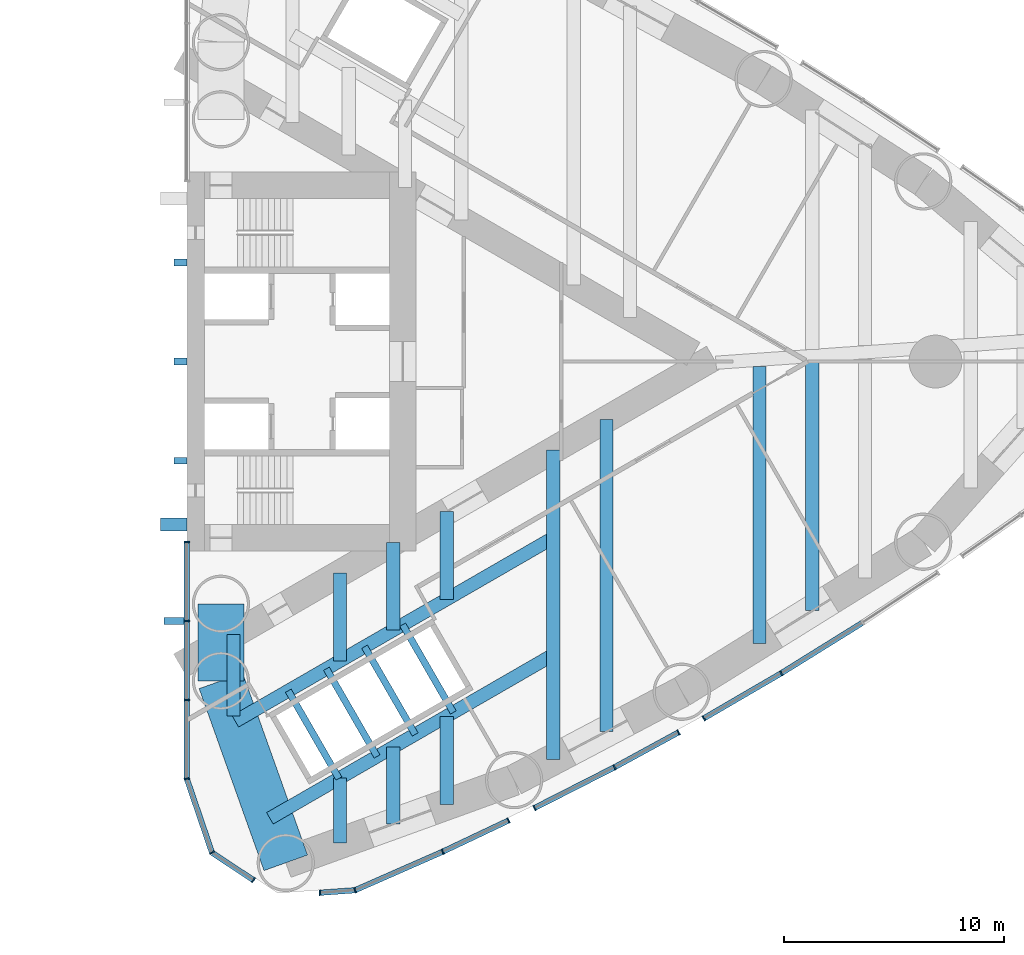
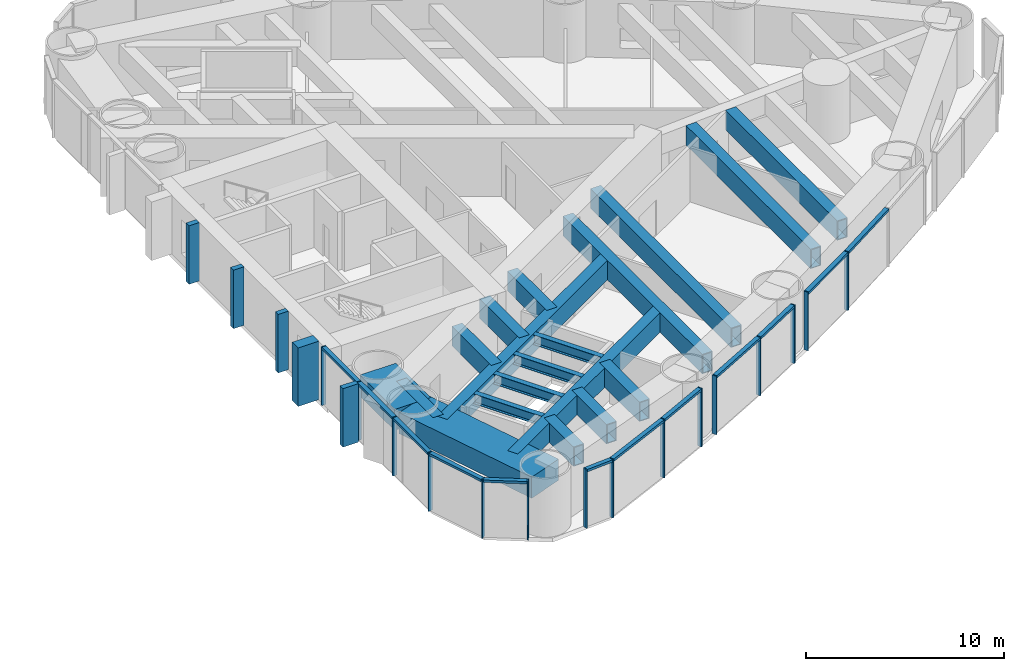
# One storey, part 6 of 16: 32 members, 19 beams, 4 elements without a shape of their own.
"""IFC4 building model written with IfcOpenShell, lengths in metres."""

from ifc_helpers import new_model, si_unit, direction, frame, origin, origin_2d, place, context, subcontext, project, spatial, rectangle, hollow_rectangle, i_section, extrude, material, material_profile, profile_set, type_object, element, aggregate, save


model = new_model("IFC4")

# Units and contexts
model_context = context("Model", 3, precision=1e-05, world=origin(), true_north=direction((0.0, 1.0)))
body_context = subcontext(model_context, "Body", "Model", "MODEL_VIEW")
ifc_project = project(units=[si_unit("LENGTHUNIT", "METRE"), si_unit("AREAUNIT", "SQUARE_METRE"), si_unit("VOLUMEUNIT", "CUBIC_METRE"), si_unit("PLANEANGLEUNIT", "RADIAN"), si_unit("MASSUNIT", "GRAM", prefix="KILO")], contexts=[model_context])

# Site, building, storey
site_placement = place(None, origin())
site = spatial("IfcSite", under=ifc_project, at=site_placement, CompositionType="ELEMENT")
building_placement = place(site_placement, origin())
building = spatial("IfcBuilding", under=site, at=building_placement, Name="Lancet Gate Hotel", CompositionType="ELEMENT")
storey_placement = place(building_placement, frame((0.0, 0.0, 143.10009765625)))
storey = spatial("IfcBuildingStorey", under=building, at=storey_placement, Name="L38", CompositionType="ELEMENT", Elevation=143.10009765625)

# Curtain wall, members
ifc_material_1 = material(Name="Aluminium curtain wall", Category="aluminium")
curtain_wall_type = type_object("IfcCurtainWallType", Name="Tower unitised curtain wall", PredefinedType="USERDEFINED", material=ifc_material_1)
curtain_wall_1_placement = place(storey_placement, origin())
curtain_wall_1 = element("IfcCurtainWall", 1, at=curtain_wall_1_placement, inside=storey, type_object=curtain_wall_type, Name="T2 L38 curtain wall 1", ObjectType="UNITISED CURTAIN WALL", PredefinedType="USERDEFINED")
ifc_material_2 = material(Name="Aluminium mullion", Category="aluminium")
ifc_material_profile_1 = material_profile(ifc_material_2, rectangle(XDim=0.06494140625, YDim=0.25, at=origin_2d()), Name="MULLION 65x250")
ifc_profile_set_1 = profile_set([ifc_material_profile_1], Name="Aluminium mullion")
member_type_1 = type_object("IfcMemberType", Name="Aluminium mullion 65x250", PredefinedType="MULLION", material=ifc_profile_set_1)
member_1_placement = place(storey_placement, frame((27.5, -8.199951171875, 0.0), z_axis=(0.0, 0.0, 1.0), x_axis=(0.0, -1.0, 0.0)))
member_1 = element("IfcMember", 2, at=member_1_placement, type_object=member_type_1, Name="T2 L38 curtain wall 1 mullion 1", PredefinedType="MULLION", context=body_context, shape_type="SweptSolid", body=[
    extrude(rectangle(XDim=0.06494140625, YDim=0.25, at=origin_2d()), origin(), (0.0, 0.0, 1.0), 3.599853515625),
])
member_2_placement = place(storey_placement, frame((27.5, -11.781005859375, 0.0), z_axis=(0.0, 0.0, 1.0), x_axis=(0.0, -1.0, 0.0)))
member_2 = element("IfcMember", 3, at=member_2_placement, type_object=member_type_1, Name="T2 L38 curtain wall 1 mullion 2", PredefinedType="MULLION", context=body_context, shape_type="SweptSolid", body=[
    extrude(rectangle(XDim=0.06494140625, YDim=0.25, at=origin_2d()), origin(), (0.0, 0.0, 1.0), 3.599853515625),
])
member_3_placement = place(storey_placement, frame((27.5, -15.362060546875, 0.0), z_axis=(0.0, 0.0, 1.0), x_axis=(0.0, -1.0, 0.0)))
member_3 = element("IfcMember", 4, at=member_3_placement, type_object=member_type_1, Name="T2 L38 curtain wall 1 mullion 3", PredefinedType="MULLION", context=body_context, shape_type="SweptSolid", body=[
    extrude(rectangle(XDim=0.06494140625, YDim=0.25, at=origin_2d()), origin(), (0.0, 0.0, 1.0), 3.599853515625),
])
member_4_placement = place(storey_placement, frame((27.5, -18.94287109375, 0.0), z_axis=(0.0, 0.0, 1.0), x_axis=(0.162738742557, -0.986669195663, 0.0)))
member_4 = element("IfcMember", 5, at=member_4_placement, type_object=member_type_1, Name="T2 L38 curtain wall 1 mullion 4", PredefinedType="MULLION", context=body_context, shape_type="SweptSolid", body=[
    extrude(rectangle(XDim=0.06494140625, YDim=0.25, at=origin_2d()), origin(), (0.0, 0.0, 1.0), 3.599853515625),
])
member_5_placement = place(storey_placement, frame((28.64453125, -22.301513671875, 0.0), z_axis=(0.0, 0.0, 1.0), x_axis=(0.54909228457, -0.835761726227, 0.0)))
member_5 = element("IfcMember", 6, at=member_5_placement, type_object=member_type_1, Name="T2 L38 curtain wall 1 mullion 5", PredefinedType="MULLION", context=body_context, shape_type="SweptSolid", body=[
    extrude(rectangle(XDim=0.06494140625, YDim=0.25, at=origin_2d()), origin(), (0.0, 0.0, 1.0), 3.599853515625),
])
member_6_placement = place(storey_placement, frame((30.526123046875, -23.549072265625, 0.0), z_axis=(0.0, 0.0, 1.0), x_axis=(0.833464516611, -0.552572981198, 0.0)))
member_6 = element("IfcMember", 7, at=member_6_placement, type_object=member_type_1, Name="T2 L38 curtain wall 1 mullion 6", PredefinedType="MULLION", context=body_context, shape_type="SweptSolid", body=[
    extrude(rectangle(XDim=0.06494140625, YDim=0.25, at=origin_2d()), origin(), (0.0, 0.0, 1.0), 3.599853515625),
])

curtain_wall_2_placement = place(storey_placement, origin())
curtain_wall_2 = element("IfcCurtainWall", 8, at=curtain_wall_2_placement, inside=storey, type_object=curtain_wall_type, Name="T2 L38 curtain wall 2", ObjectType="UNITISED CURTAIN WALL", PredefinedType="USERDEFINED")
member_7_placement = place(storey_placement, frame((33.54931640625, -24.123046875, 0.0), z_axis=(0.0, 0.0, 1.0), x_axis=(0.997448492935, 0.07138980278, 0.0)))
member_7 = element("IfcMember", 9, at=member_7_placement, type_object=member_type_1, Name="T2 L38 curtain wall 2 mullion 1", PredefinedType="MULLION", context=body_context, shape_type="SweptSolid", body=[
    extrude(rectangle(XDim=0.06494140625, YDim=0.25, at=origin_2d()), origin(), (0.0, 0.0, 1.0), 3.599853515625),
])
member_8_placement = place(storey_placement, frame((35.141357421875, -24.009033203125, 0.0), z_axis=(0.0, 0.0, 1.0), x_axis=(0.948382370841, 0.317129119883, 0.0)))
member_8 = element("IfcMember", 10, at=member_8_placement, type_object=member_type_1, Name="T2 L38 curtain wall 2 mullion 2", PredefinedType="MULLION", context=body_context, shape_type="SweptSolid", body=[
    extrude(rectangle(XDim=0.06494140625, YDim=0.25, at=origin_2d()), origin(), (0.0, 0.0, 1.0), 3.599853515625),
])
member_9_placement = place(storey_placement, frame((39.12109375, -22.259765625, 0.0), z_axis=(0.0, 0.0, 1.0), x_axis=(0.91047251067, 0.413569591864, 0.0)))
member_9 = element("IfcMember", 11, at=member_9_placement, type_object=member_type_1, Name="T2 L38 curtain wall 2 mullion 3", PredefinedType="MULLION", context=body_context, shape_type="SweptSolid", body=[
    extrude(rectangle(XDim=0.06494140625, YDim=0.25, at=origin_2d()), origin(), (0.0, 0.0, 1.0), 3.599853515625),
])
member_10_placement = place(storey_placement, frame((42.10986328125, -20.843505859375, 0.0), z_axis=(0.0, 0.0, 1.0), x_axis=(0.903683440096, 0.428201167789, 0.0)))
member_10 = element("IfcMember", 12, at=member_10_placement, type_object=member_type_1, Name="T2 L38 curtain wall 2 mullion 4", PredefinedType="MULLION", context=body_context, shape_type="SweptSolid", body=[
    extrude(rectangle(XDim=0.06494140625, YDim=0.25, at=origin_2d()), origin(), (0.0, 0.0, 1.0), 3.599853515625),
])

curtain_wall_3_placement = place(storey_placement, origin())
curtain_wall_3 = element("IfcCurtainWall", 13, at=curtain_wall_3_placement, inside=storey, type_object=curtain_wall_type, Name="T2 L38 curtain wall 3", ObjectType="UNITISED CURTAIN WALL", PredefinedType="USERDEFINED")
member_11_placement = place(storey_placement, frame((43.29443359375, -20.273681640625, 0.0), z_axis=(0.0, 0.0, 1.0), x_axis=(0.891159350462, 0.453690436403, 0.0)))
member_11 = element("IfcMember", 14, at=member_11_placement, type_object=member_type_1, Name="T2 L38 curtain wall 3 mullion 1", PredefinedType="MULLION", context=body_context, shape_type="SweptSolid", body=[
    extrude(rectangle(XDim=0.06494140625, YDim=0.25, at=origin_2d()), origin(), (0.0, 0.0, 1.0), 3.599853515625),
])
member_12_placement = place(storey_placement, frame((46.923828125, -18.426025390625, 0.0), z_axis=(0.0, 0.0, 1.0), x_axis=(0.8853073813, 0.465006280189, 0.0)))
member_12 = element("IfcMember", 15, at=member_12_placement, type_object=member_type_1, Name="T2 L38 curtain wall 3 mullion 2", PredefinedType="MULLION", context=body_context, shape_type="SweptSolid", body=[
    extrude(rectangle(XDim=0.06494140625, YDim=0.25, at=origin_2d()), origin(), (0.0, 0.0, 1.0), 3.599853515625),
])
member_13_placement = place(storey_placement, frame((49.832275390625, -16.839599609375, 0.0), z_axis=(0.0, 0.0, 1.0), x_axis=(0.877916491224, 0.478813778454, 0.0)))
member_13 = element("IfcMember", 16, at=member_13_placement, type_object=member_type_1, Name="T2 L38 curtain wall 3 mullion 3", PredefinedType="MULLION", context=body_context, shape_type="SweptSolid", body=[
    extrude(rectangle(XDim=0.06494140625, YDim=0.25, at=origin_2d()), origin(), (0.0, 0.0, 1.0), 3.599853515625),
])

curtain_wall_4_placement = place(storey_placement, origin())
curtain_wall_4 = element("IfcCurtainWall", 17, at=curtain_wall_4_placement, inside=storey, type_object=curtain_wall_type, Name="T2 L38 curtain wall 4", ObjectType="UNITISED CURTAIN WALL", PredefinedType="USERDEFINED")
member_14_placement = place(storey_placement, frame((50.9814453125, -16.203857421875, 0.0), z_axis=(0.0, 0.0, 1.0), x_axis=(0.863965543499, 0.503550930538, 0.0)))
member_14 = element("IfcMember", 18, at=member_14_placement, type_object=member_type_1, Name="T2 L38 curtain wall 4 mullion 1", PredefinedType="MULLION", context=body_context, shape_type="SweptSolid", body=[
    extrude(rectangle(XDim=0.06494140625, YDim=0.25, at=origin_2d()), origin(), (0.0, 0.0, 1.0), 3.599853515625),
])
member_15_placement = place(storey_placement, frame((54.496337890625, -14.1552734375, 0.0), z_axis=(0.0, 0.0, 1.0), x_axis=(0.856485260628, 0.516171481513, 0.0)))
member_15 = element("IfcMember", 19, at=member_15_placement, type_object=member_type_1, Name="T2 L38 curtain wall 4 mullion 2", PredefinedType="MULLION", context=body_context, shape_type="SweptSolid", body=[
    extrude(rectangle(XDim=0.06494140625, YDim=0.25, at=origin_2d()), origin(), (0.0, 0.0, 1.0), 3.599853515625),
])

# Member
ifc_material_3 = material(Name="Aluminium transom", Category="aluminium")
ifc_material_profile_2 = material_profile(ifc_material_3, rectangle(XDim=0.25, YDim=0.14990234375, at=origin_2d()), Name="TRANSOM 250x150")
ifc_profile_set_2 = profile_set([ifc_material_profile_2], Name="Aluminium transom")
member_type_2 = type_object("IfcMemberType", Name="Aluminium transom 250x150", PredefinedType="USERDEFINED", material=ifc_profile_set_2)
member_16_placement = place(storey_placement, frame((27.5, -8.232421875, 3.52490234375), z_axis=(0.0, -1.0, 0.0), x_axis=(1.0, 0.0, 0.0)))
member_16 = element("IfcMember", 20, at=member_16_placement, type_object=member_type_2, Name="T2 L38 curtain wall 1 transom 1", ObjectType="TRANSOM", PredefinedType="USERDEFINED", context=body_context, shape_type="SweptSolid", body=[
    extrude(rectangle(XDim=0.25, YDim=0.14990234375, at=origin_2d()), origin(), (0.0, 0.0, 1.0), 3.51611328125),
])

member_17_placement = place(storey_placement, frame((27.5, -11.8134765625, 3.52490234375), z_axis=(0.0, -1.0, 0.0), x_axis=(1.0, 0.0, 0.0)))
member_17 = element("IfcMember", 21, at=member_17_placement, type_object=member_type_2, Name="T2 L38 curtain wall 1 transom 2", ObjectType="TRANSOM", PredefinedType="USERDEFINED", context=body_context, shape_type="SweptSolid", body=[
    extrude(rectangle(XDim=0.25, YDim=0.14990234375, at=origin_2d()), origin(), (0.0, 0.0, 1.0), 3.515869140625),
])

member_18_placement = place(storey_placement, frame((27.5, -15.39453125, 3.52490234375), z_axis=(0.0, -1.0, 0.0), x_axis=(1.0, 0.0, 0.0)))
member_18 = element("IfcMember", 22, at=member_18_placement, type_object=member_type_2, Name="T2 L38 curtain wall 1 transom 3", ObjectType="TRANSOM", PredefinedType="USERDEFINED", context=body_context, shape_type="SweptSolid", body=[
    extrude(rectangle(XDim=0.25, YDim=0.14990234375, at=origin_2d()), origin(), (0.0, 0.0, 1.0), 3.515869140625),
])

member_19_placement = place(storey_placement, frame((27.510498046875, -18.9736328125, 3.52490234375), z_axis=(0.322549769135, -0.946552505903, 0.0), x_axis=(0.946552505903, 0.322549769135, 0.0)))
member_19 = element("IfcMember", 23, at=member_19_placement, type_object=member_type_2, Name="T2 L38 curtain wall 1 transom 4", ObjectType="TRANSOM", PredefinedType="USERDEFINED", context=body_context, shape_type="SweptSolid", body=[
    extrude(rectangle(XDim=0.25, YDim=0.14990234375, at=origin_2d()), origin(), (0.0, 0.0, 1.0), 3.4833984375),
])

member_20_placement = place(storey_placement, frame((28.671630859375, -22.319580078125, 3.52490234375), z_axis=(0.833486533887, -0.55253977036, 0.0), x_axis=(0.55253977036, 0.833486533887, 0.0)))
member_20 = element("IfcMember", 24, at=member_20_placement, type_object=member_type_2, Name="T2 L38 curtain wall 1 transom 5", ObjectType="TRANSOM", PredefinedType="USERDEFINED", context=body_context, shape_type="SweptSolid", body=[
    extrude(rectangle(XDim=0.25, YDim=0.14990234375, at=origin_2d()), origin(), (0.0, 0.0, 1.0), 2.1923828125),
])

member_21_placement = place(storey_placement, frame((33.581787109375, -24.12060546875, 3.52490234375), z_axis=(0.997444920406, 0.071439700135, 0.0), x_axis=(-0.071439700135, 0.997444920406, 0.0)))
member_21 = element("IfcMember", 25, at=member_21_placement, type_object=member_type_2, Name="T2 L38 curtain wall 2 transom 1", ObjectType="TRANSOM", PredefinedType="USERDEFINED", context=body_context, shape_type="SweptSolid", body=[
    extrude(rectangle(XDim=0.25, YDim=0.14990234375, at=origin_2d()), origin(), (0.0, 0.0, 1.0), 1.531005859375),
])

member_22_placement = place(storey_placement, frame((35.171142578125, -23.995849609375, 3.52490234375), z_axis=(0.915484772266, 0.402352621155, 0.0), x_axis=(-0.402352621155, 0.915484772266, 0.0)))
member_22 = element("IfcMember", 26, at=member_22_placement, type_object=member_type_2, Name="T2 L38 curtain wall 2 transom 2", ObjectType="TRANSOM", PredefinedType="USERDEFINED", context=body_context, shape_type="SweptSolid", body=[
    extrude(rectangle(XDim=0.25, YDim=0.14990234375, at=origin_2d()), origin(), (0.0, 0.0, 1.0), 4.281982421875),
])

member_23_placement = place(storey_placement, frame((39.150634765625, -22.245849609375, 3.52490234375), z_axis=(0.903670364691, 0.42822876127, 0.0), x_axis=(-0.42822876127, 0.903670364691, 0.0)))
member_23 = element("IfcMember", 27, at=member_23_placement, type_object=member_type_2, Name="T2 L38 curtain wall 2 transom 3", ObjectType="TRANSOM", PredefinedType="USERDEFINED", context=body_context, shape_type="SweptSolid", body=[
    extrude(rectangle(XDim=0.25, YDim=0.14990234375, at=origin_2d()), origin(), (0.0, 0.0, 1.0), 3.2421875),
])

aggregate(curtain_wall_2, [member_7, member_8, member_9, member_10, member_21, member_22, member_23])

member_24_placement = place(storey_placement, frame((43.323486328125, -20.2587890625, 3.52490234375), z_axis=(0.891175206203, 0.453659290491, 0.0), x_axis=(-0.453659290491, 0.891175206203, 0.0)))
member_24 = element("IfcMember", 28, at=member_24_placement, type_object=member_type_2, Name="T2 L38 curtain wall 3 transom 1", ObjectType="TRANSOM", PredefinedType="USERDEFINED", context=body_context, shape_type="SweptSolid", body=[
    extrude(rectangle(XDim=0.25, YDim=0.14990234375, at=origin_2d()), origin(), (0.0, 0.0, 1.0), 4.007568359375),
])

member_25_placement = place(storey_placement, frame((46.952392578125, -18.410400390625, 3.52490234375), z_axis=(0.877924296718, 0.478799466617, 0.0), x_axis=(-0.478799466617, 0.877924296718, 0.0)))
member_25 = element("IfcMember", 29, at=member_25_placement, type_object=member_type_2, Name="T2 L38 curtain wall 3 transom 2", ObjectType="TRANSOM", PredefinedType="USERDEFINED", context=body_context, shape_type="SweptSolid", body=[
    extrude(rectangle(XDim=0.25, YDim=0.14990234375, at=origin_2d()), origin(), (0.0, 0.0, 1.0), 3.248046875),
])

aggregate(curtain_wall_3, [member_11, member_12, member_13, member_24, member_25])

member_26_placement = place(storey_placement, frame((51.009521484375, -16.1875, 3.52490234375), z_axis=(0.863966849856, 0.503548689155, 0.0), x_axis=(-0.503548689155, 0.863966849856, 0.0)))
member_26 = element("IfcMember", 30, at=member_26_placement, type_object=member_type_2, Name="T2 L38 curtain wall 4 transom 1", ObjectType="TRANSOM", PredefinedType="USERDEFINED", context=body_context, shape_type="SweptSolid", body=[
    extrude(rectangle(XDim=0.25, YDim=0.14990234375, at=origin_2d()), origin(), (0.0, 0.0, 1.0), 4.00341796875),
])

member_27_placement = place(storey_placement, frame((54.52392578125, -14.13818359375, 3.52490234375), z_axis=(0.849308812566, 0.527896335371, 0.0), x_axis=(-0.527896335371, 0.849308812566, 0.0)))
member_27 = element("IfcMember", 31, at=member_27_placement, type_object=member_type_2, Name="T2 L38 curtain wall 4 transom 2", ObjectType="TRANSOM", PredefinedType="USERDEFINED", context=body_context, shape_type="SweptSolid", body=[
    extrude(rectangle(XDim=0.25, YDim=0.14990234375, at=origin_2d()), origin(), (0.0, 0.0, 1.0), 4.282470703125),
])

aggregate(curtain_wall_4, [member_14, member_15, member_26, member_27])

ifc_material_4 = material(Name="Concrete C60/75", Category="concrete")
ifc_material_profile_3 = material_profile(ifc_material_4, rectangle(XDim=0.60009765625, YDim=1.199951171875, at=origin_2d()), Name="FIN 600x1200")
ifc_profile_set_3 = profile_set([ifc_material_profile_3], Name="Concrete C60/75")
member_type_3 = type_object("IfcMemberType", Name="Exposed concrete buttress pilaster 600x1200", PredefinedType="USERDEFINED", material=ifc_profile_set_3)
member_28_placement = place(storey_placement, frame((26.909912109375, -7.39990234375, 0.0), z_axis=(0.0, 0.0, 1.0), x_axis=(0.0, 1.0, 0.0)))
element("IfcMember", 32, at=member_28_placement, inside=storey, type_object=member_type_3, Name="T2 buttress pilaster S L38", ObjectType="FIN", PredefinedType="USERDEFINED", context=body_context, shape_type="SweptSolid", body=[
    extrude(rectangle(XDim=0.60009765625, YDim=1.199951171875, at=origin_2d()), origin(), (0.0, 0.0, 1.0), 3.599853515625),
])

ifc_material_5 = material(Name="Precast concrete C50/60", Category="concrete")
ifc_material_profile_4 = material_profile(ifc_material_5, rectangle(XDim=0.300048828125, YDim=0.89990234375, at=origin_2d()), Name="FIN 300x900")
ifc_profile_set_4 = profile_set([ifc_material_profile_4], Name="Precast concrete C50/60")
member_type_4 = type_object("IfcMemberType", Name="Exposed concrete fin 300x900", PredefinedType="USERDEFINED", material=ifc_profile_set_4)
member_29_placement = place(storey_placement, frame((26.925048828125, -11.781005859375, 0.0), z_axis=(0.0, 0.0, 1.0), x_axis=(0.0, -1.0, 0.0)))
member_29 = element("IfcMember", 33, at=member_29_placement, type_object=member_type_4, Name="T2 L38 curtain wall 1 fin 2", ObjectType="FIN", PredefinedType="USERDEFINED", context=body_context, shape_type="SweptSolid", body=[
    extrude(rectangle(XDim=0.300048828125, YDim=0.89990234375, at=origin_2d()), origin(), (0.0, 0.0, 1.0), 3.599853515625),
])

aggregate(curtain_wall_1, [member_1, member_2, member_29, member_3, member_4, member_5, member_6, member_16, member_17, member_18, member_19, member_20])

# Members
ifc_material_6 = material(Name="Concrete C60/75", Category="concrete")
ifc_material_profile_5 = material_profile(ifc_material_6, rectangle(XDim=0.300048828125, YDim=0.60009765625, at=origin_2d()), Name="FIN 300x600")
ifc_profile_set_5 = profile_set([ifc_material_profile_5], Name="Concrete C60/75")
member_type_5 = type_object("IfcMemberType", Name="Exposed concrete rib 300x600", PredefinedType="USERDEFINED", material=ifc_profile_set_5)
for number, where, z_axis, x_axis, name in (
    (34, (27.2099609375, -4.5, 0.0), (0.0, 0.0, 1.0), (0.0, 1.0, 0.0), "T2 core rib 1 L38"),
    (35, (27.2099609375, 0.0, 0.0), (0.0, 0.0, 1.0), (0.0, 1.0, 0.0), "T2 core rib 2 L38"),
    (36, (27.2099609375, 4.5, 0.0), (0.0, 0.0, 1.0), (0.0, 1.0, 0.0), "T2 core rib 3 L38"),
):
    element("IfcMember", number, at=place(storey_placement, frame(where, z_axis=z_axis, x_axis=x_axis)), inside=storey, type_object=member_type_5, Name=name, ObjectType="FIN", PredefinedType="USERDEFINED", context=body_context, shape_type="SweptSolid", body=[
        extrude(rectangle(XDim=0.300048828125, YDim=0.60009765625, at=origin_2d()), origin(), (0.0, 0.0, 1.0), 3.599853515625),
    ])

# Beams
ifc_material_7 = material(Name="Steel S355", Category="steel")
ifc_material_profile_6 = material_profile(ifc_material_7, i_section(OverallWidth=0.3046875, OverallDepth=0.6123046875, WebThickness=0.01171875, FlangeThickness=0.019775390625, FilletRadius=0.0166015625, at=origin_2d()), Name="UKB 610x305x149")
ifc_profile_set_6 = profile_set([ifc_material_profile_6], Name="Steel S355")
beam_type_1 = type_object("IfcBeamType", Name="Lift lifting beam UKB 610x305x149", PredefinedType="BEAM", material=ifc_profile_set_6)
for number, where, z_axis, x_axis, name in (
    (37, (32.10888671875, -14.949462890625, 3.043701171875), (0.499935336794, -0.866062733885, 0.0), (0.866062733885, 0.499935336794, 0.0), "T2 lifting beam LR1"),
    (38, (33.841064453125, -13.949462890625, 3.043701171875), (0.499935336794, -0.866062733885, 0.0), (0.866062733885, 0.499935336794, 0.0), "T2 lifting beam LR2"),
    (39, (35.572998046875, -12.949462890625, 3.043701171875), (0.499935336794, -0.866062733885, 0.0), (0.866062733885, 0.499935336794, 0.0), "T2 lifting beam LR3"),
    (40, (37.30517578125, -11.949462890625, 3.043701171875), (0.499935336794, -0.866062733885, 0.0), (0.866062733885, 0.499935336794, 0.0), "T2 lifting beam LR4"),
):
    element("IfcBeam", number, at=place(storey_placement, frame(where, z_axis=z_axis, x_axis=x_axis)), inside=storey, type_object=beam_type_1, Name=name, PredefinedType="BEAM", context=body_context, shape_type="SweptSolid", body=[
        extrude(i_section(OverallWidth=0.3046875, OverallDepth=0.6123046875, WebThickness=0.01171875, FlangeThickness=0.019775390625, FilletRadius=0.0166015625, at=origin_2d()), origin(), (0.0, 0.0, 1.0), 4.599609375),
    ])
ifc_material_8 = material(Name="Steel S460QL", Category="steel")
ifc_material_profile_7 = material_profile(ifc_material_8, hollow_rectangle(XDim=0.60009765625, YDim=1.199951171875, WallThickness=0.050048828125, at=origin_2d()), Name="BOX 1200x600x50")
ifc_profile_set_7 = profile_set([ifc_material_profile_7], Name="Steel S460QL")
beam_type_2 = type_object("IfcBeamType", Name="Refuge floor beam BOX 1200x600x50", PredefinedType="BEAM", material=ifc_profile_set_7)
beam_1_placement = place(storey_placement, frame((29.6201171875, -16.099365234375, 2.75), z_axis=(0.0, 1.0, 0.0), x_axis=(-1.0, 0.0, 0.0)))
element("IfcBeam", 41, at=beam_1_placement, inside=storey, type_object=beam_type_2, Name="T2 floor beam F01S L38", PredefinedType="BEAM", context=body_context, shape_type="SweptSolid", body=[
    extrude(hollow_rectangle(XDim=0.60009765625, YDim=1.199951171875, WallThickness=0.050048828125, at=origin_2d()), origin(), (0.0, 0.0, 1.0), 3.69677734375),
])
beam_2_placement = place(storey_placement, frame((44.1416015625, -18.0712890625, 2.75), z_axis=(0.0, 1.0, 0.0), x_axis=(-1.0, 0.0, 0.0)))
element("IfcBeam", 42, at=beam_2_placement, inside=storey, type_object=beam_type_2, Name="T2 floor beam F09S L38", PredefinedType="BEAM", context=body_context, shape_type="SweptSolid", body=[
    extrude(hollow_rectangle(XDim=0.60009765625, YDim=1.199951171875, WallThickness=0.050048828125, at=origin_2d()), origin(), (0.0, 0.0, 1.0), 14.052490234375),
])
beam_3_placement = place(storey_placement, frame((46.561767578125, -16.795654296875, 2.75), z_axis=(0.0, 1.0, 0.0), x_axis=(-1.0, 0.0, 0.0)))
element("IfcBeam", 43, at=beam_3_placement, inside=storey, type_object=beam_type_2, Name="T2 floor beam F11S L38", PredefinedType="BEAM", context=body_context, shape_type="SweptSolid", body=[
    extrude(hollow_rectangle(XDim=0.60009765625, YDim=1.199951171875, WallThickness=0.050048828125, at=origin_2d()), origin(), (0.0, 0.0, 1.0), 14.17431640625),
])
beam_4_placement = place(storey_placement, frame((53.502197265625, -12.804443359375, 2.75), z_axis=(0.0, 1.0, 0.0), x_axis=(-1.0, 0.0, 0.0)))
element("IfcBeam", 44, at=beam_4_placement, inside=storey, type_object=beam_type_2, Name="T2 floor beam F13S L38", PredefinedType="BEAM", context=body_context, shape_type="SweptSolid", body=[
    extrude(hollow_rectangle(XDim=0.60009765625, YDim=1.199951171875, WallThickness=0.050048828125, at=origin_2d()), origin(), (0.0, 0.0, 1.0), 12.587646484375),
])
beam_5_placement = place(storey_placement, frame((55.90234375, -11.312744140625, 2.75), z_axis=(0.0, 1.0, 0.0), x_axis=(-1.0, 0.0, 0.0)))
element("IfcBeam", 45, at=beam_5_placement, inside=storey, type_object=beam_type_2, Name="T2 floor beam F14S L38", PredefinedType="BEAM", context=body_context, shape_type="SweptSolid", body=[
    extrude(hollow_rectangle(XDim=0.60009765625, YDim=1.199951171875, WallThickness=0.050048828125, at=origin_2d()), origin(), (0.0, 0.0, 1.0), 11.263671875),
])
beam_6_placement = place(storey_placement, frame((34.460693359375, -21.87060546875, 2.75), z_axis=(0.0, 1.0, 0.0), x_axis=(-1.0, 0.0, 0.0)))
element("IfcBeam", 46, at=beam_6_placement, inside=storey, type_object=beam_type_2, Name="T2 floor beam F03SA L38", PredefinedType="BEAM", context=body_context, shape_type="SweptSolid", body=[
    extrude(hollow_rectangle(XDim=0.60009765625, YDim=1.199951171875, WallThickness=0.050048828125, at=origin_2d()), origin(), (0.0, 0.0, 1.0), 2.967529296875),
])
beam_7_placement = place(storey_placement, frame((34.460693359375, -13.591796875, 2.75), z_axis=(0.0, 1.0, 0.0), x_axis=(-1.0, 0.0, 0.0)))
element("IfcBeam", 47, at=beam_7_placement, inside=storey, type_object=beam_type_2, Name="T2 floor beam F03SB L38", PredefinedType="BEAM", context=body_context, shape_type="SweptSolid", body=[
    extrude(hollow_rectangle(XDim=0.60009765625, YDim=1.199951171875, WallThickness=0.050048828125, at=origin_2d()), origin(), (0.0, 0.0, 1.0), 3.98388671875),
])
beam_8_placement = place(storey_placement, frame((36.880859375, -20.993896484375, 2.75), z_axis=(0.0, 1.0, 0.0), x_axis=(-1.0, 0.0, 0.0)))
element("IfcBeam", 48, at=beam_8_placement, inside=storey, type_object=beam_type_2, Name="T2 floor beam F05SA L38", PredefinedType="BEAM", context=body_context, shape_type="SweptSolid", body=[
    extrude(hollow_rectangle(XDim=0.60009765625, YDim=1.199951171875, WallThickness=0.050048828125, at=origin_2d()), origin(), (0.0, 0.0, 1.0), 3.48828125),
])
beam_9_placement = place(storey_placement, frame((36.880859375, -12.1943359375, 2.75), z_axis=(0.0, 1.0, 0.0), x_axis=(-1.0, 0.0, 0.0)))
element("IfcBeam", 49, at=beam_9_placement, inside=storey, type_object=beam_type_2, Name="T2 floor beam F05SB L38", PredefinedType="BEAM", context=body_context, shape_type="SweptSolid", body=[
    extrude(hollow_rectangle(XDim=0.60009765625, YDim=1.199951171875, WallThickness=0.050048828125, at=origin_2d()), origin(), (0.0, 0.0, 1.0), 3.983642578125),
])
beam_10_placement = place(storey_placement, frame((39.301025390625, -20.1171875, 2.75), z_axis=(0.0, 1.0, 0.0), x_axis=(-1.0, 0.0, 0.0)))
element("IfcBeam", 50, at=beam_10_placement, inside=storey, type_object=beam_type_2, Name="T2 floor beam F07SA L38", PredefinedType="BEAM", context=body_context, shape_type="SweptSolid", body=[
    extrude(hollow_rectangle(XDim=0.60009765625, YDim=1.199951171875, WallThickness=0.050048828125, at=origin_2d()), origin(), (0.0, 0.0, 1.0), 4.0087890625),
])
beam_11_placement = place(storey_placement, frame((39.301025390625, -10.797119140625, 2.75), z_axis=(0.0, 1.0, 0.0), x_axis=(-1.0, 0.0, 0.0)))
element("IfcBeam", 51, at=beam_11_placement, inside=storey, type_object=beam_type_2, Name="T2 floor beam F07SB L38", PredefinedType="BEAM", context=body_context, shape_type="SweptSolid", body=[
    extrude(hollow_rectangle(XDim=0.60009765625, YDim=1.199951171875, WallThickness=0.050048828125, at=origin_2d()), origin(), (0.0, 0.0, 1.0), 3.983642578125),
])
ifc_material_9 = material(Name="Concrete C50/60", Category="concrete")
ifc_material_profile_8 = material_profile(ifc_material_9, rectangle(XDim=2.10009765625, YDim=1.300048828125, at=origin_2d()), Name="RC 2100x1300")
ifc_profile_set_8 = profile_set([ifc_material_profile_8], Name="Concrete C50/60")
beam_type_3 = type_object("IfcBeamType", Name="Tie ring beam RC 2100x1300", PredefinedType="SPANDREL", material=ifc_profile_set_8)
beam_12_placement = place(storey_placement, frame((31.99609375, -22.76318359375, 2.699951171875), z_axis=(-0.335821559388, 0.941925623523, 0.0), x_axis=(-0.941925623523, -0.335821559388, 0.0)))
element("IfcBeam", 52, at=beam_12_placement, inside=storey, type_object=beam_type_3, Name="T2 tie ring beam RG2 L38", PredefinedType="SPANDREL", context=body_context, shape_type="SweptSolid", body=[
    extrude(rectangle(XDim=2.10009765625, YDim=1.300048828125, at=origin_2d()), origin(), (0.0, 0.0, 1.0), 8.772705078125),
])
beam_13_placement = place(storey_placement, frame((29.050048828125, -14.5, 2.699951171875), z_axis=(0.0, 1.0, 0.0), x_axis=(-1.0, 0.0, 0.0)))
element("IfcBeam", 53, at=beam_13_placement, inside=storey, type_object=beam_type_3, Name="T2 tie ring beam RG2 L38", PredefinedType="SPANDREL", context=body_context, shape_type="SweptSolid", body=[
    extrude(rectangle(XDim=2.10009765625, YDim=1.300048828125, at=origin_2d()), origin(), (0.0, 0.0, 1.0), 3.5),
])
ifc_material_10 = material(Name="Steel S460QL", Category="steel")
ifc_material_profile_9 = material_profile(ifc_material_10, hollow_rectangle(XDim=0.60009765625, YDim=1.199951171875, WallThickness=0.050048828125, at=origin_2d()), Name="BOX 1200x600x50")
ifc_profile_set_9 = profile_set([ifc_material_profile_9], Name="Steel S460QL")
beam_type_4 = type_object("IfcBeamType", Name="Trimmer beam BOX 1200x600x50", PredefinedType="BEAM", material=ifc_profile_set_9)
beam_14_placement = place(storey_placement, frame((29.705078125, -16.33740234375, 2.75), z_axis=(0.866030959881, 0.499990376435, 0.0), x_axis=(-0.499990376435, 0.866030959881, 0.0)))
element("IfcBeam", 54, at=beam_14_placement, inside=storey, type_object=beam_type_4, Name="T2 trimmer beam TR01S L38", PredefinedType="BEAM", context=body_context, shape_type="SweptSolid", body=[
    extrude(hollow_rectangle(XDim=0.60009765625, YDim=1.199951171875, WallThickness=0.050048828125, at=origin_2d()), origin(), (0.0, 0.0, 1.0), 16.669677734375),
])
beam_15_placement = place(storey_placement, frame((31.275390625, -20.741943359375, 2.75), z_axis=(0.86603507536, 0.499983247966, 0.0), x_axis=(-0.499983247966, 0.86603507536, 0.0)))
element("IfcBeam", 55, at=beam_15_placement, inside=storey, type_object=beam_type_4, Name="T2 trimmer beam TR02S L38", PredefinedType="BEAM", context=body_context, shape_type="SweptSolid", body=[
    extrude(hollow_rectangle(XDim=0.60009765625, YDim=1.199951171875, WallThickness=0.050048828125, at=origin_2d()), origin(), (0.0, 0.0, 1.0), 14.8564453125),
])

save(model, "model.ifc")
